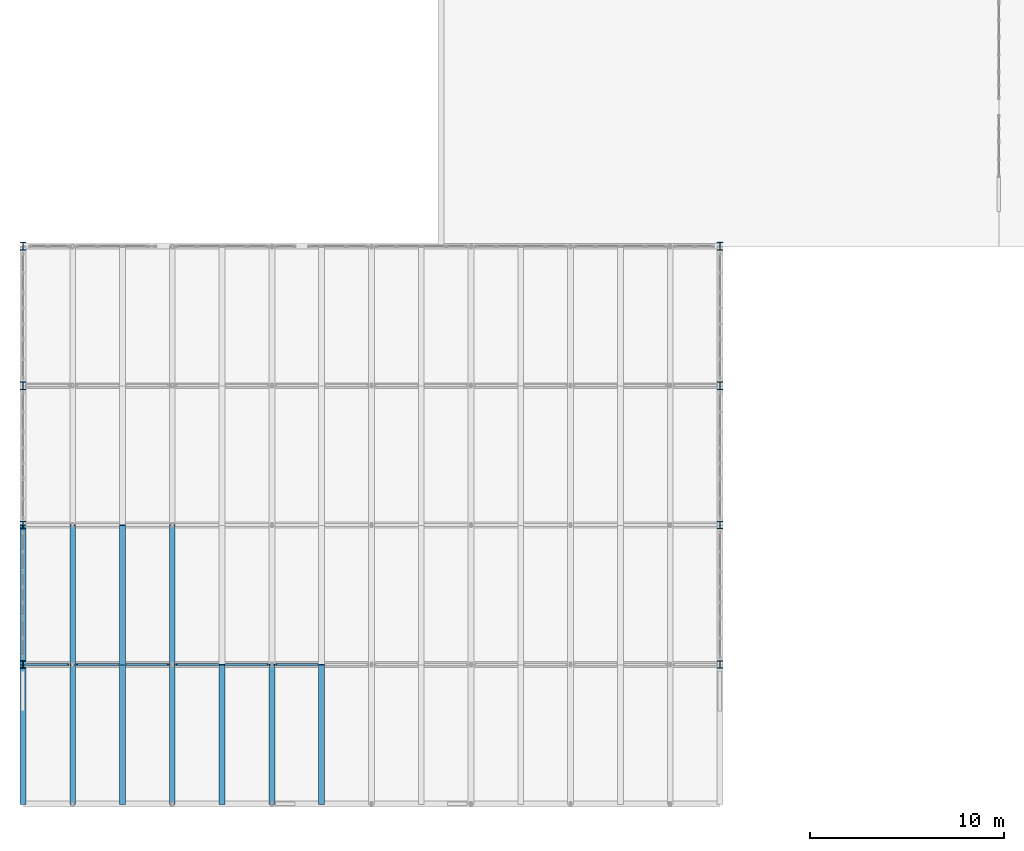
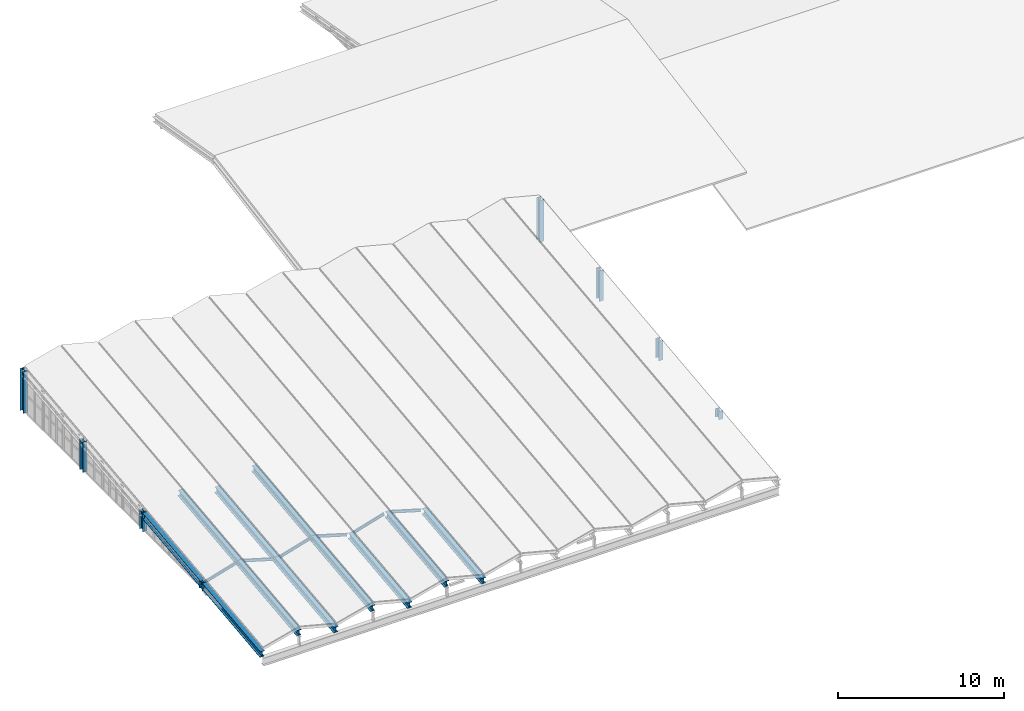
# One storey, part 1 of 39: 11 beams, 8 columns, 6 members.
"""IFC4 building model written with IfcOpenShell, lengths in metres."""

from ifc_helpers import new_model, si_unit, direction, frame, origin, origin_2d, place, context, subcontext, project, spatial, i_section, extrude, material, material_profile, profile_set, type_object, element, save


model = new_model("IFC4")

# Units and contexts
model_context = context("Model", 3, precision=1e-05, world=origin(), true_north=direction((0.0, 1.0)))
body_context = subcontext(model_context, "Body", "Model", "MODEL_VIEW")
ifc_project = project(units=[si_unit("LENGTHUNIT", "METRE"), si_unit("AREAUNIT", "SQUARE_METRE"), si_unit("VOLUMEUNIT", "CUBIC_METRE"), si_unit("PLANEANGLEUNIT", "RADIAN"), si_unit("MASSUNIT", "GRAM", prefix="KILO"), si_unit("THERMODYNAMICTEMPERATUREUNIT", "KELVIN"), si_unit("POWERUNIT", "WATT")], contexts=[model_context])

# Site, building, storey
site_placement = place(None, origin())
site = spatial("IfcSite", under=ifc_project, at=site_placement, CompositionType="ELEMENT")
building_placement = place(site_placement, origin())
building = spatial("IfcBuilding", under=site, at=building_placement, Name="Kaldorven Railside Theatre", CompositionType="ELEMENT")
storey_placement = place(building_placement, frame((0.0, 0.0, 27.300048828125)))
storey = spatial("IfcBuildingStorey", under=building, at=storey_placement, Name="ROOF", CompositionType="ELEMENT", Elevation=27.300048828125)

# Columns
ifc_material = material(Name="Steel S355", Category="steel")
ifc_material_profile_1 = material_profile(ifc_material, i_section(OverallWidth=0.300048828125, OverallDepth=0.39990234375, WebThickness=0.013427734375, FlangeThickness=0.02392578125, at=origin_2d()), Name="HEB 400")
ifc_profile_set_1 = profile_set([ifc_material_profile_1], Name="Steel S355")
column_type = type_object("IfcColumnType", Name="COL-HEB400", PredefinedType="COLUMN", material=ifc_profile_set_1)
column_1_placement = place(storey_placement, frame((87.199951171875, 91.199951171875, 0.0), z_axis=(0.0, 0.0, 1.0), x_axis=(1.0, 0.0, 0.0)))
element("IfcColumn", 1, at=column_1_placement, inside=storey, type_object=column_type, Name="V2 Folded-Roof Bearing Stanchion", PredefinedType="COLUMN", context=body_context, shape_type="SweptSolid", body=[
    extrude(i_section(OverallWidth=0.300048828125, OverallDepth=0.39990234375, WebThickness=0.013427734375, FlangeThickness=0.02392578125, at=origin_2d()), origin(), (0.0, 0.0, 1.0), 0.62451171875),
])
column_2_placement = place(storey_placement, frame((87.199951171875, 98.39990234375, 0.0), z_axis=(0.0, 0.0, 1.0), x_axis=(1.0, 0.0, 0.0)))
element("IfcColumn", 2, at=column_2_placement, inside=storey, type_object=column_type, Name="V2 Folded-Roof Bearing Stanchion", PredefinedType="COLUMN", context=body_context, shape_type="SweptSolid", body=[
    extrude(i_section(OverallWidth=0.300048828125, OverallDepth=0.39990234375, WebThickness=0.013427734375, FlangeThickness=0.02392578125, at=origin_2d()), origin(), (0.0, 0.0, 1.0), 1.4443359375),
])
column_3_placement = place(storey_placement, frame((87.199951171875, 105.60009765625, 0.0), z_axis=(0.0, 0.0, 1.0), x_axis=(1.0, 0.0, 0.0)))
element("IfcColumn", 3, at=column_3_placement, inside=storey, type_object=column_type, Name="V2 Folded-Roof Bearing Stanchion", PredefinedType="COLUMN", context=body_context, shape_type="SweptSolid", body=[
    extrude(i_section(OverallWidth=0.300048828125, OverallDepth=0.39990234375, WebThickness=0.013427734375, FlangeThickness=0.02392578125, at=origin_2d()), origin(), (0.0, 0.0, 1.0), 2.264404296875),
])
column_4_placement = place(storey_placement, frame((87.199951171875, 112.800048828125, 0.0), z_axis=(0.0, 0.0, 1.0), x_axis=(1.0, 0.0, 0.0)))
element("IfcColumn", 4, at=column_4_placement, inside=storey, type_object=column_type, Name="V2 Folded-Roof Bearing Stanchion", PredefinedType="COLUMN", context=body_context, shape_type="SweptSolid", body=[
    extrude(i_section(OverallWidth=0.300048828125, OverallDepth=0.39990234375, WebThickness=0.013427734375, FlangeThickness=0.02392578125, at=origin_2d()), origin(), (0.0, 0.0, 1.0), 3.08447265625),
])
column_5_placement = place(storey_placement, frame((123.199951171875, 91.199951171875, 0.0), z_axis=(0.0, 0.0, 1.0), x_axis=(1.0, 0.0, 0.0)))
element("IfcColumn", 5, at=column_5_placement, inside=storey, type_object=column_type, Name="V2 Folded-Roof Bearing Stanchion", PredefinedType="COLUMN", context=body_context, shape_type="SweptSolid", body=[
    extrude(i_section(OverallWidth=0.300048828125, OverallDepth=0.39990234375, WebThickness=0.013427734375, FlangeThickness=0.02392578125, at=origin_2d()), origin(), (0.0, 0.0, 1.0), 0.62451171875),
])
column_6_placement = place(storey_placement, frame((123.199951171875, 98.39990234375, 0.0), z_axis=(0.0, 0.0, 1.0), x_axis=(1.0, 0.0, 0.0)))
element("IfcColumn", 6, at=column_6_placement, inside=storey, type_object=column_type, Name="V2 Folded-Roof Bearing Stanchion", PredefinedType="COLUMN", context=body_context, shape_type="SweptSolid", body=[
    extrude(i_section(OverallWidth=0.300048828125, OverallDepth=0.39990234375, WebThickness=0.013427734375, FlangeThickness=0.02392578125, at=origin_2d()), origin(), (0.0, 0.0, 1.0), 1.4443359375),
])
column_7_placement = place(storey_placement, frame((123.199951171875, 105.60009765625, 0.0), z_axis=(0.0, 0.0, 1.0), x_axis=(1.0, 0.0, 0.0)))
element("IfcColumn", 7, at=column_7_placement, inside=storey, type_object=column_type, Name="V2 Folded-Roof Bearing Stanchion", PredefinedType="COLUMN", context=body_context, shape_type="SweptSolid", body=[
    extrude(i_section(OverallWidth=0.300048828125, OverallDepth=0.39990234375, WebThickness=0.013427734375, FlangeThickness=0.02392578125, at=origin_2d()), origin(), (0.0, 0.0, 1.0), 2.264404296875),
])
column_8_placement = place(storey_placement, frame((123.199951171875, 112.800048828125, 0.0), z_axis=(0.0, 0.0, 1.0), x_axis=(1.0, 0.0, 0.0)))
element("IfcColumn", 8, at=column_8_placement, inside=storey, type_object=column_type, Name="V2 Folded-Roof Bearing Stanchion", PredefinedType="COLUMN", context=body_context, shape_type="SweptSolid", body=[
    extrude(i_section(OverallWidth=0.300048828125, OverallDepth=0.39990234375, WebThickness=0.013427734375, FlangeThickness=0.02392578125, at=origin_2d()), origin(), (0.0, 0.0, 1.0), 3.08447265625),
])

# Beams
ifc_material_profile_2 = material_profile(ifc_material, i_section(OverallWidth=0.300048828125, OverallDepth=0.449951171875, WebThickness=0.013916015625, FlangeThickness=0.02587890625, at=origin_2d()), Name="HEB 450")
ifc_profile_set_2 = profile_set([ifc_material_profile_2], Name="Steel S355")
beam_type = type_object("IfcBeamType", Name="BM-HEB450", PredefinedType="BEAM", material=ifc_profile_set_2)
for number, where, z_axis, x_axis, name in (
    (9, (87.199951171875, 84.0, -0.43505859375), (0.0, 0.993575928723, 0.11316745938), (-1.0, 0.0, 0.0), "V2 Folded-Plate Valley Girder VB-099"),
    (10, (87.199951171875, 91.199951171875, 0.385009765625), (0.0, 0.993575928723, 0.11316745938), (-1.0, 0.0, 0.0), "V2 Folded-Plate Valley Girder VB-100"),
    (11, (89.771484375, 84.0, 0.22998046875), (0.0, 0.993575928723, 0.11316745938), (-1.0, 0.0, 0.0), "V2 Folded-Plate Ridge Girder RB-103"),
    (12, (89.771484375, 91.199951171875, 1.050048828125), (0.0, 0.993575928723, 0.11316745938), (-1.0, 0.0, 0.0), "V2 Folded-Plate Ridge Girder RB-104"),
    (13, (92.343017578125, 84.0, -0.43505859375), (0.0, 0.993575928723, 0.11316745938), (-1.0, 0.0, 0.0), "V2 Folded-Plate Valley Girder VB-107"),
    (14, (92.343017578125, 91.199951171875, 0.385009765625), (0.0, 0.993575928723, 0.11316745938), (-1.0, 0.0, 0.0), "V2 Folded-Plate Valley Girder VB-108"),
    (15, (94.914306640625, 84.0, 0.22998046875), (0.0, 0.993575928723, 0.11316745938), (-1.0, 0.0, 0.0), "V2 Folded-Plate Ridge Girder RB-111"),
    (16, (94.914306640625, 91.199951171875, 1.050048828125), (0.0, 0.993575928723, 0.11316745938), (-1.0, 0.0, 0.0), "V2 Folded-Plate Ridge Girder RB-112"),
    (17, (97.485595703125, 84.0, -0.43505859375), (0.0, 0.993575928723, 0.11316745938), (-1.0, 0.0, 0.0), "V2 Folded-Plate Valley Girder VB-115"),
    (18, (100.05712890625, 84.0, 0.22998046875), (0.0, 0.993575928723, 0.11316745938), (-1.0, 0.0, 0.0), "V2 Folded-Plate Ridge Girder RB-119"),
    (19, (102.628662109375, 84.0, -0.43505859375), (0.0, 0.993575928723, 0.11316745938), (-1.0, 0.0, 0.0), "V2 Folded-Plate Valley Girder VB-123"),
):
    element("IfcBeam", number, at=place(storey_placement, frame(where, z_axis=z_axis, x_axis=x_axis)), inside=storey, type_object=beam_type, Name=name, PredefinedType="BEAM", context=body_context, shape_type="SweptSolid", body=[
        extrude(i_section(OverallWidth=0.300048828125, OverallDepth=0.449951171875, WebThickness=0.013916015625, FlangeThickness=0.02587890625, at=origin_2d()), origin(), (0.0, 0.0, 1.0), 7.24658203125),
    ])

# Members
ifc_material_profile_3 = material_profile(ifc_material, i_section(OverallWidth=0.10009765625, OverallDepth=0.199951171875, WebThickness=0.005615234375, FlangeThickness=0.008544921875, at=origin_2d()), Name="IPE 200")
ifc_profile_set_3 = profile_set([ifc_material_profile_3], Name="Steel S355")
member_type = type_object("IfcMemberType", Name="MEM-IPE200", PredefinedType="PURLIN", material=ifc_profile_set_3)
for number, where, z_axis, x_axis, name in (
    (20, (87.407958984375, 91.199951171875, 0.4794921875), (0.958620479351, 0.0, 0.284687155608), (0.0, 1.0, 0.0), "V2 Folded-Roof Transverse Purlin PRL-029"),
    (21, (89.9794921875, 91.199951171875, 1.11962890625), (0.958620479351, 0.0, -0.284687155608), (0.0, 1.0, 0.0), "V2 Folded-Roof Transverse Purlin PRL-031"),
    (22, (92.55078125, 91.199951171875, 0.4794921875), (0.958620479351, 0.0, 0.284687155608), (0.0, 1.0, 0.0), "V2 Folded-Roof Transverse Purlin PRL-033"),
    (23, (95.122314453125, 91.199951171875, 1.11962890625), (0.958620479351, 0.0, -0.284687155608), (0.0, 1.0, 0.0), "V2 Folded-Roof Transverse Purlin PRL-035"),
    (24, (97.693603515625, 91.199951171875, 0.4794921875), (0.958620479351, 0.0, 0.284687155608), (0.0, 1.0, 0.0), "V2 Folded-Roof Transverse Purlin PRL-037"),
    (25, (100.26513671875, 91.199951171875, 1.11962890625), (0.958620479351, 0.0, -0.284687155608), (0.0, 1.0, 0.0), "V2 Folded-Roof Transverse Purlin PRL-039"),
):
    element("IfcMember", number, at=place(storey_placement, frame(where, z_axis=z_axis, x_axis=x_axis)), inside=storey, type_object=member_type, Name=name, PredefinedType="PURLIN", context=body_context, shape_type="SweptSolid", body=[
        extrude(i_section(OverallWidth=0.10009765625, OverallDepth=0.199951171875, WebThickness=0.005615234375, FlangeThickness=0.008544921875, at=origin_2d()), origin(), (0.0, 0.0, 1.0), 2.24853515625),
    ])

save(model, "model.ifc")
